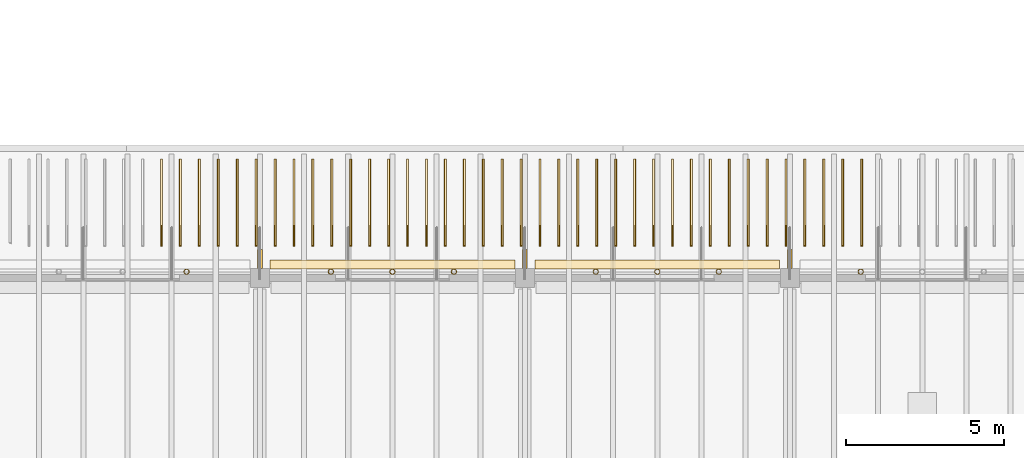
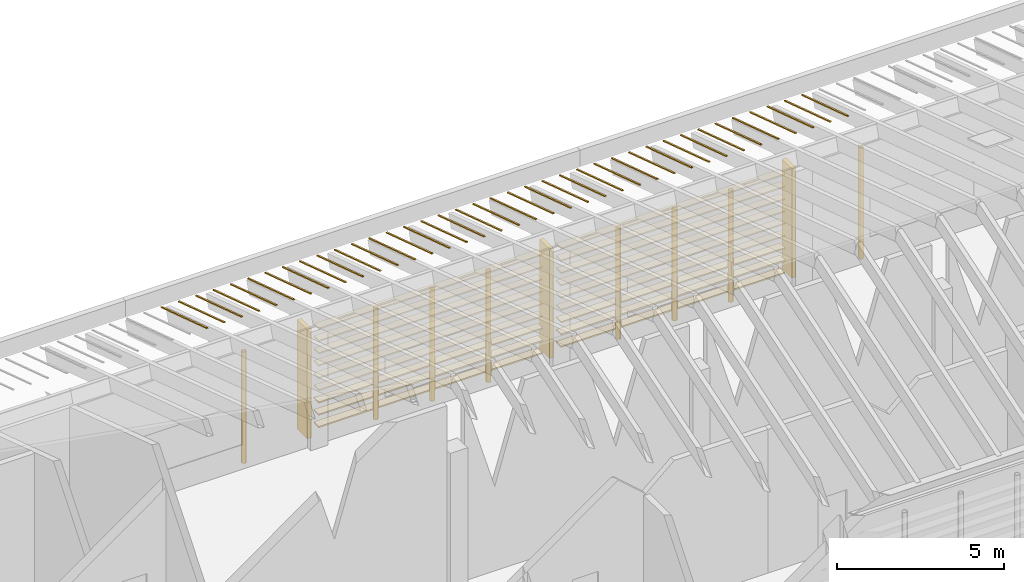
# One storey, part 46 of 59: 56 coverings, 11 shading devices.
"""IFC4 building model written with IfcOpenShell, lengths in metres."""

from ifc_helpers import new_model, si_unit, direction, frame, origin, origin_2d, place, context, subcontext, project, spatial, polyline, rectangle, hollow_circle, outline, extrude, material, layer, layer_set, material_profile, profile_set, type_object, element, save


model = new_model("IFC4")

# Units and contexts
model_context = context("Model", 3, precision=1e-05, world=origin(), true_north=direction((0.0, 1.0)))
body_context = subcontext(model_context, "Body", "Model", "MODEL_VIEW")
ifc_project = project(units=[si_unit("LENGTHUNIT", "METRE"), si_unit("AREAUNIT", "SQUARE_METRE"), si_unit("VOLUMEUNIT", "CUBIC_METRE"), si_unit("PLANEANGLEUNIT", "RADIAN"), si_unit("MASSUNIT", "GRAM", prefix="KILO")], contexts=[model_context])

# Site, building, storey
site_placement = place(None, origin())
site = spatial("IfcSite", under=ifc_project, at=site_placement, CompositionType="ELEMENT")
building_placement = place(site_placement, origin())
building = spatial("IfcBuilding", under=site, at=building_placement, Name="Almond Square Museum", CompositionType="ELEMENT")
storey_placement = place(building_placement, frame((0.0, 0.0, 25.0)))
storey = spatial("IfcBuildingStorey", under=building, at=storey_placement, Name="L04", CompositionType="ELEMENT", Elevation=25.0)

# Shading devices
ifc_material_1 = material(Name="Structural steel S355", Category="steel")
ifc_material_profile_1 = material_profile(ifc_material_1, hollow_circle(Radius=0.084228515625, WallThickness=0.008056640625, at=origin_2d()))
ifc_profile_set_1 = profile_set([ifc_material_profile_1], Name="Structural steel S355")
shading_device_type_1 = type_object("IfcShadingDeviceType", Name="Louvre post CHS 168.3 x 8", PredefinedType="USERDEFINED", material=ifc_profile_set_1)
for number, where, z_axis, x_axis, name in (
    (1, (92.25, 16.994140625, 0.0), (0.0, 0.0, 1.0), (1.0, 0.0, 0.0), "Louvre screen post"),
    (2, (83.85009765625, 16.994140625, 0.0), (0.0, 0.0, 1.0), (1.0, 0.0, 0.0), "Louvre screen post"),
    (3, (85.800048828125, 16.994140625, 0.0), (0.0, 0.0, 1.0), (1.0, 0.0, 0.0), "Louvre screen post"),
    (4, (87.75, 16.994140625, 0.0), (0.0, 0.0, 1.0), (1.0, 0.0, 0.0), "Louvre screen post"),
    (5, (75.449951171875, 16.994140625, 0.0), (0.0, 0.0, 1.0), (1.0, 0.0, 0.0), "Louvre screen post"),
    (6, (77.39990234375, 16.994140625, 0.0), (0.0, 0.0, 1.0), (1.0, 0.0, 0.0), "Louvre screen post"),
    (7, (79.35009765625, 16.994140625, 0.0), (0.0, 0.0, 1.0), (1.0, 0.0, 0.0), "Louvre screen post"),
    (8, (70.875, 16.994140625, 0.0), (0.0, 0.0, 1.0), (1.0, 0.0, 0.0), "Louvre screen post"),
):
    element("IfcShadingDevice", number, at=place(storey_placement, frame(where, z_axis=z_axis, x_axis=x_axis)), inside=storey, type_object=shading_device_type_1, Name=name, ObjectType="POST", PredefinedType="USERDEFINED", context=body_context, shape_type="SweptSolid", body=[
        extrude(hollow_circle(Radius=0.084228515625, WallThickness=0.008056640625, at=origin_2d()), origin(), (0.0, 0.0, 1.0), 4.08447265625),
    ])

# Coverings
ifc_material_2 = material(Name="Cedar timber louvre board", Category="wood")
ifc_material_profile_2 = material_profile(ifc_material_2, rectangle(XDim=0.300048828125, YDim=0.050048828125, at=origin_2d()))
ifc_profile_set_2 = profile_set([ifc_material_profile_2], Name="Cedar timber louvre board")
covering_type_1 = type_object("IfcCoveringType", Name="Louvre screen board 300 x 50", PredefinedType="CLADDING", material=ifc_profile_set_2)
for number, where, z_axis, x_axis, name in (
    (9, (81.919921875, 17.224365234375, 0.300048828125), (1.0, 0.0, 0.0), (0.0, 1.0, 0.0), "Louvre screen board"),
    (10, (81.919921875, 17.224365234375, 0.75), (1.0, 0.0, 0.0), (0.0, 1.0, 0.0), "Louvre screen board"),
    (11, (81.919921875, 17.224365234375, 1.199951171875), (1.0, 0.0, 0.0), (0.0, 1.0, 0.0), "Louvre screen board"),
    (12, (81.919921875, 17.224365234375, 1.64990234375), (1.0, 0.0, 0.0), (0.0, 1.0, 0.0), "Louvre screen board"),
    (13, (81.919921875, 17.224365234375, 2.10009765625), (1.0, 0.0, 0.0), (0.0, 1.0, 0.0), "Louvre screen board"),
    (14, (81.919921875, 17.224365234375, 2.550048828125), (1.0, 0.0, 0.0), (0.0, 1.0, 0.0), "Louvre screen board"),
    (15, (81.919921875, 17.224365234375, 3.0), (1.0, 0.0, 0.0), (0.0, 1.0, 0.0), "Louvre screen board"),
    (16, (81.919921875, 17.224365234375, 3.449951171875), (1.0, 0.0, 0.0), (0.0, 1.0, 0.0), "Louvre screen board"),
    (17, (81.919921875, 17.224365234375, 3.89990234375), (1.0, 0.0, 0.0), (0.0, 1.0, 0.0), "Louvre screen board"),
    (18, (73.52001953125, 17.224365234375, 0.300048828125), (1.0, 0.0, 0.0), (0.0, 1.0, 0.0), "Louvre screen board"),
    (19, (73.52001953125, 17.224365234375, 0.75), (1.0, 0.0, 0.0), (0.0, 1.0, 0.0), "Louvre screen board"),
    (20, (73.52001953125, 17.224365234375, 1.199951171875), (1.0, 0.0, 0.0), (0.0, 1.0, 0.0), "Louvre screen board"),
    (21, (73.52001953125, 17.224365234375, 1.64990234375), (1.0, 0.0, 0.0), (0.0, 1.0, 0.0), "Louvre screen board"),
    (22, (73.52001953125, 17.224365234375, 2.10009765625), (1.0, 0.0, 0.0), (0.0, 1.0, 0.0), "Louvre screen board"),
    (23, (73.52001953125, 17.224365234375, 2.550048828125), (1.0, 0.0, 0.0), (0.0, 1.0, 0.0), "Louvre screen board"),
    (24, (73.52001953125, 17.224365234375, 3.0), (1.0, 0.0, 0.0), (0.0, 1.0, 0.0), "Louvre screen board"),
    (25, (73.52001953125, 17.224365234375, 3.449951171875), (1.0, 0.0, 0.0), (0.0, 1.0, 0.0), "Louvre screen board"),
    (26, (73.52001953125, 17.224365234375, 3.89990234375), (1.0, 0.0, 0.0), (0.0, 1.0, 0.0), "Louvre screen board"),
):
    element("IfcCovering", number, at=place(storey_placement, frame(where, z_axis=z_axis, x_axis=x_axis)), inside=storey, type_object=covering_type_1, Name=name, PredefinedType="CLADDING", context=body_context, shape_type="SweptSolid", body=[
        extrude(rectangle(XDim=0.300048828125, YDim=0.050048828125, at=origin_2d()), origin(), (0.0, 0.0, 1.0), 7.760009765625),
    ])
ifc_material_3 = material(Name="Zinc standing seam")
ifc_layer = layer(ifc_material_3, 0.0400390625)
ifc_layer_set = layer_set([ifc_layer], Name="Zinc standing seam")
covering_type_2 = type_object("IfcCoveringType", Name="Roof standing seam rib 60 x 40", PredefinedType="CLADDING", material=ifc_layer_set)
for number, where, z_axis, x_axis, name in (
    (27, (70.050048828125, 17.800048828125, 4.675048828125), (0.0, 0.309024978252, 0.951053922139), (1.0, 0.0, 0.0), "Roof standing seam rib"),
    (28, (70.64990234375, 17.800048828125, 4.675048828125), (0.0, 0.309024978252, 0.951053922139), (1.0, 0.0, 0.0), "Roof standing seam rib"),
    (29, (71.25, 17.800048828125, 4.675048828125), (0.0, 0.309024978252, 0.951053922139), (1.0, 0.0, 0.0), "Roof standing seam rib"),
):
    element("IfcCovering", number, at=place(storey_placement, frame(where, z_axis=z_axis, x_axis=x_axis)), inside=storey, type_object=covering_type_2, Name=name, PredefinedType="CLADDING", context=body_context, shape_type="SweptSolid", body=[
        extrude(outline(polyline([(0.0, 0.0), (0.06005859375, 0.0), (0.06005859375, 2.891529003754454), (0.0, 2.891529003754454), (0.0, 0.0)])), origin(), (0.0, 0.0, 1.0), 0.0400390625),
    ])
covering_1_placement = place(storey_placement, frame((71.85009765625, 17.800048828125, 4.675048828125), z_axis=(0.0, 0.309024978252, 0.951053922139), x_axis=(1.0, 0.0, 0.0)))
element("IfcCovering", 30, at=covering_1_placement, inside=storey, type_object=covering_type_2, Name="Roof standing seam rib", PredefinedType="CLADDING", context=body_context, shape_type="SweptSolid", body=[
    extrude(outline(polyline([(0.0, 0.0), (0.059814453125, 0.0), (0.059814453125, 2.8915290037544534), (0.0, 2.8915290037544534), (0.0, 0.0)])), origin(), (0.0, 0.0, 1.0), 0.0400390625),
])
for number, where, z_axis, x_axis, name in (
    (31, (72.449951171875, 17.800048828125, 4.675048828125), (0.0, 0.309024978252, 0.951053922139), (1.0, 0.0, 0.0), "Roof standing seam rib"),
    (32, (73.050048828125, 17.800048828125, 4.675048828125), (0.0, 0.309024978252, 0.951053922139), (1.0, 0.0, 0.0), "Roof standing seam rib"),
    (33, (73.64990234375, 17.800048828125, 4.675048828125), (0.0, 0.309024978252, 0.951053922139), (1.0, 0.0, 0.0), "Roof standing seam rib"),
    (34, (74.25, 17.800048828125, 4.675048828125), (0.0, 0.309024978252, 0.951053922139), (1.0, 0.0, 0.0), "Roof standing seam rib"),
):
    element("IfcCovering", number, at=place(storey_placement, frame(where, z_axis=z_axis, x_axis=x_axis)), inside=storey, type_object=covering_type_2, Name=name, PredefinedType="CLADDING", context=body_context, shape_type="SweptSolid", body=[
        extrude(outline(polyline([(0.0, 0.0), (0.06005859375, 0.0), (0.06005859375, 2.891529003754454), (0.0, 2.891529003754454), (0.0, 0.0)])), origin(), (0.0, 0.0, 1.0), 0.0400390625),
    ])
covering_2_placement = place(storey_placement, frame((74.85009765625, 17.800048828125, 4.675048828125), z_axis=(0.0, 0.309024978252, 0.951053922139), x_axis=(1.0, 0.0, 0.0)))
element("IfcCovering", 35, at=covering_2_placement, inside=storey, type_object=covering_type_2, Name="Roof standing seam rib", PredefinedType="CLADDING", context=body_context, shape_type="SweptSolid", body=[
    extrude(outline(polyline([(0.0, 0.0), (0.059814453125, 0.0), (0.059814453125, 2.8915290037544534), (0.0, 2.8915290037544534), (0.0, 0.0)])), origin(), (0.0, 0.0, 1.0), 0.0400390625),
])
for number, where, z_axis, x_axis, name in (
    (36, (75.449951171875, 17.800048828125, 4.675048828125), (0.0, 0.309024978252, 0.951053922139), (1.0, 0.0, 0.0), "Roof standing seam rib"),
    (37, (76.050048828125, 17.800048828125, 4.675048828125), (0.0, 0.309024978252, 0.951053922139), (1.0, 0.0, 0.0), "Roof standing seam rib"),
    (38, (76.64990234375, 17.800048828125, 4.675048828125), (0.0, 0.309024978252, 0.951053922139), (1.0, 0.0, 0.0), "Roof standing seam rib"),
    (39, (77.25, 17.800048828125, 4.675048828125), (0.0, 0.309024978252, 0.951053922139), (1.0, 0.0, 0.0), "Roof standing seam rib"),
):
    element("IfcCovering", number, at=place(storey_placement, frame(where, z_axis=z_axis, x_axis=x_axis)), inside=storey, type_object=covering_type_2, Name=name, PredefinedType="CLADDING", context=body_context, shape_type="SweptSolid", body=[
        extrude(outline(polyline([(0.0, 0.0), (0.06005859375, 0.0), (0.06005859375, 2.891529003754454), (0.0, 2.891529003754454), (0.0, 0.0)])), origin(), (0.0, 0.0, 1.0), 0.0400390625),
    ])
covering_3_placement = place(storey_placement, frame((77.85009765625, 17.800048828125, 4.675048828125), z_axis=(0.0, 0.309024978252, 0.951053922139), x_axis=(1.0, 0.0, 0.0)))
element("IfcCovering", 40, at=covering_3_placement, inside=storey, type_object=covering_type_2, Name="Roof standing seam rib", PredefinedType="CLADDING", context=body_context, shape_type="SweptSolid", body=[
    extrude(outline(polyline([(0.0, 0.0), (0.059814453125, 0.0), (0.059814453125, 2.8915290037544534), (0.0, 2.8915290037544534), (0.0, 0.0)])), origin(), (0.0, 0.0, 1.0), 0.0400390625),
])
for number, where, z_axis, x_axis, name in (
    (41, (78.449951171875, 17.800048828125, 4.675048828125), (0.0, 0.309024978252, 0.951053922139), (1.0, 0.0, 0.0), "Roof standing seam rib"),
    (42, (79.050048828125, 17.800048828125, 4.675048828125), (0.0, 0.309024978252, 0.951053922139), (1.0, 0.0, 0.0), "Roof standing seam rib"),
    (43, (79.64990234375, 17.800048828125, 4.675048828125), (0.0, 0.309024978252, 0.951053922139), (1.0, 0.0, 0.0), "Roof standing seam rib"),
    (44, (80.25, 17.800048828125, 4.675048828125), (0.0, 0.309024978252, 0.951053922139), (1.0, 0.0, 0.0), "Roof standing seam rib"),
):
    element("IfcCovering", number, at=place(storey_placement, frame(where, z_axis=z_axis, x_axis=x_axis)), inside=storey, type_object=covering_type_2, Name=name, PredefinedType="CLADDING", context=body_context, shape_type="SweptSolid", body=[
        extrude(outline(polyline([(0.0, 0.0), (0.06005859375, 0.0), (0.06005859375, 2.891529003754454), (0.0, 2.891529003754454), (0.0, 0.0)])), origin(), (0.0, 0.0, 1.0), 0.0400390625),
    ])
covering_4_placement = place(storey_placement, frame((80.85009765625, 17.800048828125, 4.675048828125), z_axis=(0.0, 0.309024978252, 0.951053922139), x_axis=(1.0, 0.0, 0.0)))
element("IfcCovering", 45, at=covering_4_placement, inside=storey, type_object=covering_type_2, Name="Roof standing seam rib", PredefinedType="CLADDING", context=body_context, shape_type="SweptSolid", body=[
    extrude(outline(polyline([(0.0, 0.0), (0.059814453125, 0.0), (0.059814453125, 2.8915290037544534), (0.0, 2.8915290037544534), (0.0, 0.0)])), origin(), (0.0, 0.0, 1.0), 0.0400390625),
])
for number, where, z_axis, x_axis, name in (
    (46, (81.449951171875, 17.800048828125, 4.675048828125), (0.0, 0.309024978252, 0.951053922139), (1.0, 0.0, 0.0), "Roof standing seam rib"),
    (47, (82.050048828125, 17.800048828125, 4.675048828125), (0.0, 0.309024978252, 0.951053922139), (1.0, 0.0, 0.0), "Roof standing seam rib"),
    (48, (82.64990234375, 17.800048828125, 4.675048828125), (0.0, 0.309024978252, 0.951053922139), (1.0, 0.0, 0.0), "Roof standing seam rib"),
    (49, (83.25, 17.800048828125, 4.675048828125), (0.0, 0.309024978252, 0.951053922139), (1.0, 0.0, 0.0), "Roof standing seam rib"),
):
    element("IfcCovering", number, at=place(storey_placement, frame(where, z_axis=z_axis, x_axis=x_axis)), inside=storey, type_object=covering_type_2, Name=name, PredefinedType="CLADDING", context=body_context, shape_type="SweptSolid", body=[
        extrude(outline(polyline([(0.0, 0.0), (0.06005859375, 0.0), (0.06005859375, 2.891529003754454), (0.0, 2.891529003754454), (0.0, 0.0)])), origin(), (0.0, 0.0, 1.0), 0.0400390625),
    ])
covering_5_placement = place(storey_placement, frame((83.85009765625, 17.800048828125, 4.675048828125), z_axis=(0.0, 0.309024978252, 0.951053922139), x_axis=(1.0, 0.0, 0.0)))
element("IfcCovering", 50, at=covering_5_placement, inside=storey, type_object=covering_type_2, Name="Roof standing seam rib", PredefinedType="CLADDING", context=body_context, shape_type="SweptSolid", body=[
    extrude(outline(polyline([(0.0, 0.0), (0.059814453125, 0.0), (0.059814453125, 2.8915290037544534), (0.0, 2.8915290037544534), (0.0, 0.0)])), origin(), (0.0, 0.0, 1.0), 0.0400390625),
])
for number, where, z_axis, x_axis, name in (
    (51, (84.449951171875, 17.800048828125, 4.675048828125), (0.0, 0.309024978252, 0.951053922139), (1.0, 0.0, 0.0), "Roof standing seam rib"),
    (52, (85.050048828125, 17.800048828125, 4.675048828125), (0.0, 0.309024978252, 0.951053922139), (1.0, 0.0, 0.0), "Roof standing seam rib"),
    (53, (85.64990234375, 17.800048828125, 4.675048828125), (0.0, 0.309024978252, 0.951053922139), (1.0, 0.0, 0.0), "Roof standing seam rib"),
    (54, (86.25, 17.800048828125, 4.675048828125), (0.0, 0.309024978252, 0.951053922139), (1.0, 0.0, 0.0), "Roof standing seam rib"),
):
    element("IfcCovering", number, at=place(storey_placement, frame(where, z_axis=z_axis, x_axis=x_axis)), inside=storey, type_object=covering_type_2, Name=name, PredefinedType="CLADDING", context=body_context, shape_type="SweptSolid", body=[
        extrude(outline(polyline([(0.0, 0.0), (0.06005859375, 0.0), (0.06005859375, 2.891529003754454), (0.0, 2.891529003754454), (0.0, 0.0)])), origin(), (0.0, 0.0, 1.0), 0.0400390625),
    ])
covering_6_placement = place(storey_placement, frame((86.85009765625, 17.800048828125, 4.675048828125), z_axis=(0.0, 0.309024978252, 0.951053922139), x_axis=(1.0, 0.0, 0.0)))
element("IfcCovering", 55, at=covering_6_placement, inside=storey, type_object=covering_type_2, Name="Roof standing seam rib", PredefinedType="CLADDING", context=body_context, shape_type="SweptSolid", body=[
    extrude(outline(polyline([(0.0, 0.0), (0.059814453125, 0.0), (0.059814453125, 2.8915290037544534), (0.0, 2.8915290037544534), (0.0, 0.0)])), origin(), (0.0, 0.0, 1.0), 0.0400390625),
])
for number, where, z_axis, x_axis, name in (
    (56, (87.449951171875, 17.800048828125, 4.675048828125), (0.0, 0.309024978252, 0.951053922139), (1.0, 0.0, 0.0), "Roof standing seam rib"),
    (57, (88.050048828125, 17.800048828125, 4.675048828125), (0.0, 0.309024978252, 0.951053922139), (1.0, 0.0, 0.0), "Roof standing seam rib"),
    (58, (88.64990234375, 17.800048828125, 4.675048828125), (0.0, 0.309024978252, 0.951053922139), (1.0, 0.0, 0.0), "Roof standing seam rib"),
    (59, (89.25, 17.800048828125, 4.675048828125), (0.0, 0.309024978252, 0.951053922139), (1.0, 0.0, 0.0), "Roof standing seam rib"),
):
    element("IfcCovering", number, at=place(storey_placement, frame(where, z_axis=z_axis, x_axis=x_axis)), inside=storey, type_object=covering_type_2, Name=name, PredefinedType="CLADDING", context=body_context, shape_type="SweptSolid", body=[
        extrude(outline(polyline([(0.0, 0.0), (0.06005859375, 0.0), (0.06005859375, 2.891529003754454), (0.0, 2.891529003754454), (0.0, 0.0)])), origin(), (0.0, 0.0, 1.0), 0.0400390625),
    ])
covering_7_placement = place(storey_placement, frame((89.85009765625, 17.800048828125, 4.675048828125), z_axis=(0.0, 0.309024978252, 0.951053922139), x_axis=(1.0, 0.0, 0.0)))
element("IfcCovering", 60, at=covering_7_placement, inside=storey, type_object=covering_type_2, Name="Roof standing seam rib", PredefinedType="CLADDING", context=body_context, shape_type="SweptSolid", body=[
    extrude(outline(polyline([(0.0, 0.0), (0.059814453125, 0.0), (0.059814453125, 2.8915290037544534), (0.0, 2.8915290037544534), (0.0, 0.0)])), origin(), (0.0, 0.0, 1.0), 0.0400390625),
])
for number, where, z_axis, x_axis, name in (
    (61, (90.449951171875, 17.800048828125, 4.675048828125), (0.0, 0.309024978252, 0.951053922139), (1.0, 0.0, 0.0), "Roof standing seam rib"),
    (62, (91.050048828125, 17.800048828125, 4.675048828125), (0.0, 0.309024978252, 0.951053922139), (1.0, 0.0, 0.0), "Roof standing seam rib"),
    (63, (91.64990234375, 17.800048828125, 4.675048828125), (0.0, 0.309024978252, 0.951053922139), (1.0, 0.0, 0.0), "Roof standing seam rib"),
    (64, (92.25, 17.800048828125, 4.675048828125), (0.0, 0.309024978252, 0.951053922139), (1.0, 0.0, 0.0), "Roof standing seam rib"),
):
    element("IfcCovering", number, at=place(storey_placement, frame(where, z_axis=z_axis, x_axis=x_axis)), inside=storey, type_object=covering_type_2, Name=name, PredefinedType="CLADDING", context=body_context, shape_type="SweptSolid", body=[
        extrude(outline(polyline([(0.0, 0.0), (0.06005859375, 0.0), (0.06005859375, 2.891529003754454), (0.0, 2.891529003754454), (0.0, 0.0)])), origin(), (0.0, 0.0, 1.0), 0.0400390625),
    ])

# Shading devices
ifc_material_4 = material(Name="Cedar timber fin", Category="wood")
shading_device_type_2 = type_object("IfcShadingDeviceType", Name="Timber storm fin 150 x 600", PredefinedType="USERDEFINED", material=ifc_material_4)
for number, where, z_axis, x_axis, name in (
    (65, (73.199951171875, 17.39990234375, 0.0), (0.0, 0.0, 1.0), (1.0, 0.0, 0.0), "Timber storm fin"),
    (66, (81.60009765625, 17.39990234375, 0.0), (0.0, 0.0, 1.0), (1.0, 0.0, 0.0), "Timber storm fin"),
    (67, (90.0, 17.39990234375, 0.0), (0.0, 0.0, 1.0), (1.0, 0.0, 0.0), "Timber storm fin"),
):
    element("IfcShadingDevice", number, at=place(storey_placement, frame(where, z_axis=z_axis, x_axis=x_axis)), inside=storey, type_object=shading_device_type_2, Name=name, ObjectType="FIN", PredefinedType="USERDEFINED", context=body_context, shape_type="SweptSolid", body=[
        extrude(rectangle(XDim=0.14990234375, YDim=0.60009765625, at=origin_2d()), origin(), (0.0, 0.0, 1.0), 4.007568359375),
    ])

save(model, "model.ifc")
